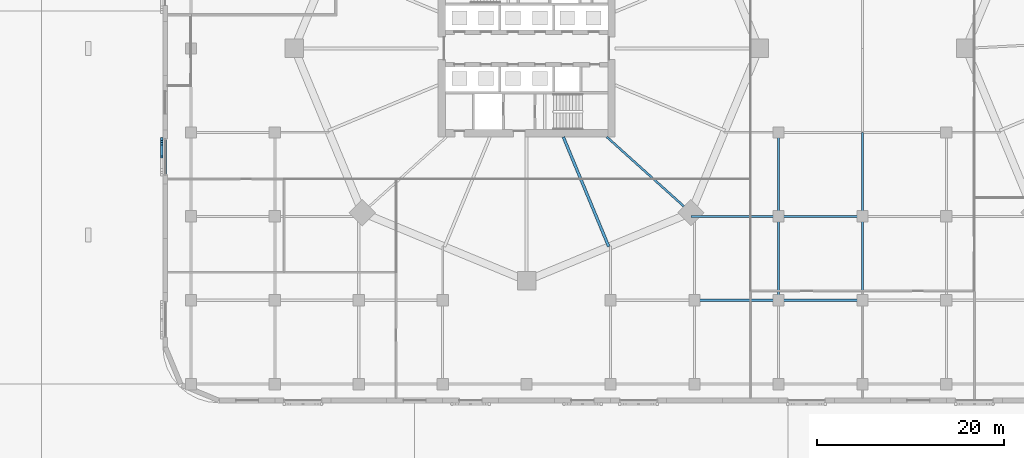
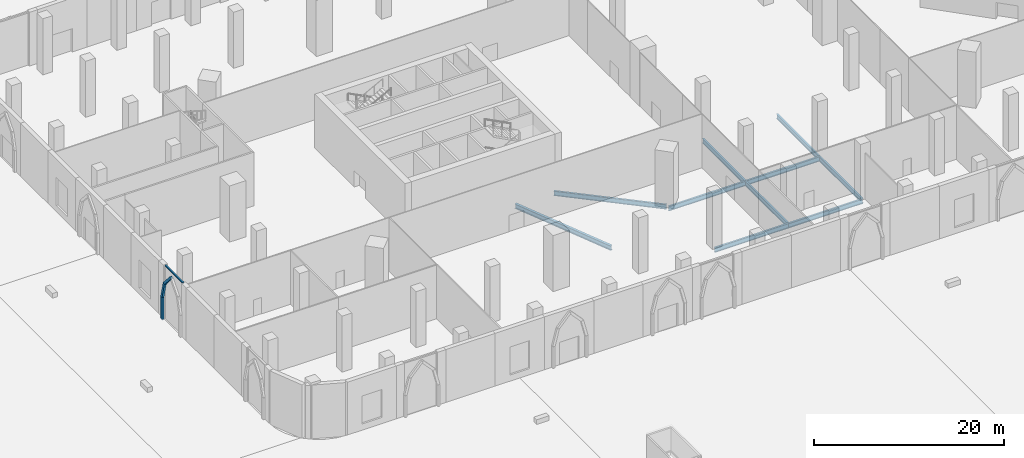
# One storey, part 5 of 48: 10 beams, 4 members, 1 element without a shape of its own.
"""IFC4 building model written with IfcOpenShell, lengths in metres."""

from ifc_helpers import new_model, si_unit, direction, frame, origin, origin_2d, place, context, subcontext, project, spatial, rectangle, i_section, extrude, material, material_profile, profile_set, type_object, element, aggregate, save


model = new_model("IFC4")

# Units and contexts
model_context = context("Model", 3, precision=1e-05, world=origin(), true_north=direction((0.0, 1.0)))
body_context = subcontext(model_context, "Body", "Model", "MODEL_VIEW")
ifc_project = project(units=[si_unit("LENGTHUNIT", "METRE"), si_unit("AREAUNIT", "SQUARE_METRE"), si_unit("VOLUMEUNIT", "CUBIC_METRE"), si_unit("PLANEANGLEUNIT", "RADIAN"), si_unit("MASSUNIT", "GRAM", prefix="KILO")], contexts=[model_context])

# Site, building, storey
site_placement = place(None, origin())
site = spatial("IfcSite", under=ifc_project, at=site_placement, CompositionType="ELEMENT")
building_placement = place(site_placement, origin())
building = spatial("IfcBuilding", under=site, at=building_placement, Name="Ogive Gate Towers", CompositionType="ELEMENT")
storey_placement = place(building_placement, origin())
storey = spatial("IfcBuildingStorey", under=building, at=storey_placement, Name="L00", CompositionType="ELEMENT", Elevation=0.0)

# Members
ifc_material_1 = material(Name="Precast concrete C40/50", Category="concrete")
ifc_material_profile_1 = material_profile(ifc_material_1, rectangle(XDim=0.25, YDim=0.300048828125, at=origin_2d()), Name="250 x 300 cast stone")
ifc_profile_set_1 = profile_set([ifc_material_profile_1], Name="Precast concrete C40/50")
member_type_1 = type_object("IfcMemberType", Name="Arch rib 250 x 300", PredefinedType="USERDEFINED", material=ifc_profile_set_1)
member_1_placement = place(storey_placement, frame((-75.125, -9.727294921875, 0.0), z_axis=(0.0, 0.0, 1.0), x_axis=(1.0, 0.0, 0.0)))
element("IfcMember", 1, at=member_1_placement, inside=storey, type_object=member_type_1, Name="Arcade arch rib", ObjectType="ARCH RIB", PredefinedType="USERDEFINED", context=body_context, shape_type="SweptSolid", body=[
    extrude(rectangle(XDim=0.25, YDim=0.300048828125, at=origin_2d()), origin(), (0.0, 0.0, 1.0), 2.89990234375),
])
for number, where, z_axis, x_axis, name in (
    (2, (-75.125, -9.727294921875, 2.89990234375), (0.0, -0.239840918338, 0.970812203205), (1.0, 0.0, 0.0), "Arcade arch rib"),
    (3, (-75.125, -10.233642578125, 4.949462890625), (0.0, -0.664493031672, 0.74729446061), (1.0, 0.0, 0.0), "Arcade arch rib"),
):
    element("IfcMember", number, at=place(storey_placement, frame(where, z_axis=z_axis, x_axis=x_axis)), inside=storey, type_object=member_type_1, Name=name, ObjectType="ARCH RIB", PredefinedType="USERDEFINED", context=body_context, shape_type="SweptSolid", body=[
        extrude(rectangle(XDim=0.25, YDim=0.300048828125, at=origin_2d()), origin(), (0.0, 0.0, 1.0), 2.111083984375),
    ])

# Beams
ifc_material_2 = material(Name="Steel SM355", Category="steel")
ifc_material_profile_2 = material_profile(ifc_material_2, i_section(OverallWidth=0.219970703125, OverallDepth=0.60009765625, WebThickness=0.011962890625, FlangeThickness=0.01904296875, FilletRadius=0.02392578125, at=origin_2d()), Name="IPE 600")
ifc_profile_set_2 = profile_set([ifc_material_profile_2], Name="Steel SM355")
beam_type_1 = type_object("IfcBeamType", Name="Floor beam IPE 600", PredefinedType="BEAM", material=ifc_profile_set_2)
for number, where, z_axis, x_axis, name in (
    (4, (-9.0, -27.0, -0.60009765625), (0.0, 1.0, 0.0), (-1.0, 0.0, 0.0), "PD/L00/SBM028"),
    (5, (-9.0, -18.0, -0.60009765625), (0.0, 1.0, 0.0), (-1.0, 0.0, 0.0), "PD/L00/SBM029"),
    (6, (0.0, -27.0, -0.60009765625), (0.0, 1.0, 0.0), (-1.0, 0.0, 0.0), "PD/L00/SBM034"),
    (7, (0.0, -18.0, -0.60009765625), (0.0, 1.0, 0.0), (-1.0, 0.0, 0.0), "PD/L00/SBM035"),
    (8, (-18.0, -27.0, -0.60009765625), (1.0, 0.0, 0.0), (0.0, 1.0, 0.0), "PD/L00/SBM093"),
    (9, (-9.0, -27.0, -0.60009765625), (1.0, 0.0, 0.0), (0.0, 1.0, 0.0), "PD/L00/SBM094"),
):
    element("IfcBeam", number, at=place(storey_placement, frame(where, z_axis=z_axis, x_axis=x_axis)), inside=storey, type_object=beam_type_1, Name=name, PredefinedType="BEAM", context=body_context, shape_type="SweptSolid", body=[
        extrude(i_section(OverallWidth=0.219970703125, OverallDepth=0.60009765625, WebThickness=0.011962890625, FlangeThickness=0.01904296875, FilletRadius=0.02392578125, at=origin_2d()), origin(), (0.0, 0.0, 1.0), 9.0),
    ])
beam_1_placement = place(storey_placement, frame((-18.385986328125, -18.0, -0.60009765625), z_axis=(1.0, 0.0, 0.0), x_axis=(0.0, 1.0, 0.0)))
element("IfcBeam", 10, at=beam_1_placement, inside=storey, type_object=beam_type_1, Name="PD/L00/SBM103", PredefinedType="BEAM", context=body_context, shape_type="SweptSolid", body=[
    extrude(i_section(OverallWidth=0.219970703125, OverallDepth=0.60009765625, WebThickness=0.011962890625, FlangeThickness=0.01904296875, FilletRadius=0.02392578125, at=origin_2d()), origin(), (0.0, 0.0, 1.0), 9.385986328125),
])
beam_2_placement = place(storey_placement, frame((-9.0, -18.0, -0.60009765625), z_axis=(1.0, 0.0, 0.0), x_axis=(0.0, 1.0, 0.0)))
element("IfcBeam", 11, at=beam_2_placement, inside=storey, type_object=beam_type_1, Name="PD/L00/SBM104", PredefinedType="BEAM", context=body_context, shape_type="SweptSolid", body=[
    extrude(i_section(OverallWidth=0.219970703125, OverallDepth=0.60009765625, WebThickness=0.011962890625, FlangeThickness=0.01904296875, FilletRadius=0.02392578125, at=origin_2d()), origin(), (0.0, 0.0, 1.0), 9.0),
])

# Curtain wall, member
ifc_material_3 = material(Name="Pale metal aluminium", Category="aluminium")
curtain_wall_type = type_object("IfcCurtainWallType", Name="Podium glazing", PredefinedType="NOTDEFINED", material=ifc_material_3)
curtain_wall_placement = place(storey_placement, origin())
curtain_wall = element("IfcCurtainWall", 12, at=curtain_wall_placement, inside=storey, type_object=curtain_wall_type, Name="CW6 PD ECW07", PredefinedType="NOTDEFINED")
ifc_material_profile_3 = material_profile(ifc_material_3, rectangle(XDim=0.199951171875, YDim=0.139892578125, at=origin_2d()), Name="140 x 200 aluminium box")
ifc_profile_set_3 = profile_set([ifc_material_profile_3], Name="Pale metal aluminium")
member_type_2 = type_object("IfcMemberType", Name="Podium glazing transom 140 x 200", PredefinedType="USERDEFINED", material=ifc_profile_set_3)
member_2_placement = place(storey_placement, frame((-74.75, -9.767333984375, 6.830078125), z_axis=(0.0, -1.0, 0.0), x_axis=(1.0, 0.0, 0.0)))
member_2 = element("IfcMember", 13, at=member_2_placement, type_object=member_type_2, Name="CW6 transom", ObjectType="TRANSOM", PredefinedType="USERDEFINED", context=body_context, shape_type="SweptSolid", body=[
    extrude(rectangle(XDim=0.199951171875, YDim=0.139892578125, at=origin_2d()), origin(), (0.0, 0.0, 1.0), 3.73828125),
])
aggregate(curtain_wall, [member_2])

# Beams
ifc_material_profile_4 = material_profile(ifc_material_2, i_section(OverallWidth=0.300048828125, OverallDepth=0.590087890625, WebThickness=0.012939453125, FlangeThickness=0.02490234375, FilletRadius=0.027099609375, at=origin_2d()), Name="HE 600 A")
ifc_profile_set_4 = profile_set([ifc_material_profile_4], Name="Steel SM355")
beam_type_2 = type_object("IfcBeamType", Name="Radial floor beam HE 600 A", PredefinedType="BEAM", material=ifc_profile_set_4)
beam_3_placement = place(storey_placement, frame((-32.06494140625, -9.5, -0.594970703125), z_axis=(0.382690523214, -0.923876595354, 0.0), x_axis=(0.923876595354, 0.382690523214, 0.0)))
element("IfcBeam", 14, at=beam_3_placement, inside=storey, type_object=beam_type_2, Name="T1/L00/SBM004", PredefinedType="BEAM", context=body_context, shape_type="SweptSolid", body=[
    extrude(i_section(OverallWidth=0.300048828125, OverallDepth=0.590087890625, WebThickness=0.012939453125, FlangeThickness=0.02490234375, FilletRadius=0.027099609375, at=origin_2d()), origin(), (0.0, 0.0, 1.0), 12.731201171875),
])
ifc_material_profile_5 = material_profile(ifc_material_2, i_section(OverallWidth=0.219970703125, OverallDepth=0.60009765625, WebThickness=0.011962890625, FlangeThickness=0.01904296875, FilletRadius=0.02392578125, at=origin_2d()), Name="IPE 600")
ifc_profile_set_5 = profile_set([ifc_material_profile_5], Name="Steel SM355")
beam_type_3 = type_object("IfcBeamType", Name="Radial floor beam IPE 600", PredefinedType="BEAM", material=ifc_profile_set_5)
beam_4_placement = place(storey_placement, frame((-27.39990234375, -9.5, -0.60009765625), z_axis=(0.743233084761, -0.669032571491, 0.0), x_axis=(0.669032571491, 0.743233084761, 0.0)))
element("IfcBeam", 15, at=beam_4_placement, inside=storey, type_object=beam_type_3, Name="T1/L00/SBM005", PredefinedType="BEAM", context=body_context, shape_type="SweptSolid", body=[
    extrude(i_section(OverallWidth=0.219970703125, OverallDepth=0.60009765625, WebThickness=0.011962890625, FlangeThickness=0.01904296875, FilletRadius=0.02392578125, at=origin_2d()), origin(), (0.0, 0.0, 1.0), 12.1279296875),
])

save(model, "model.ifc")
